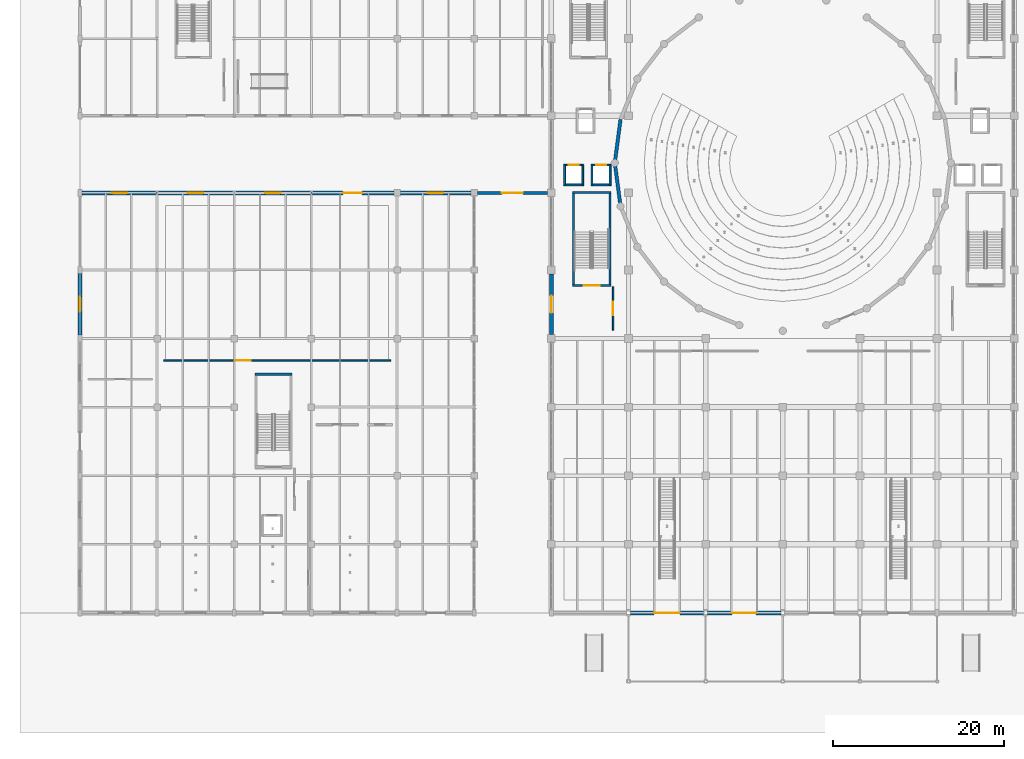
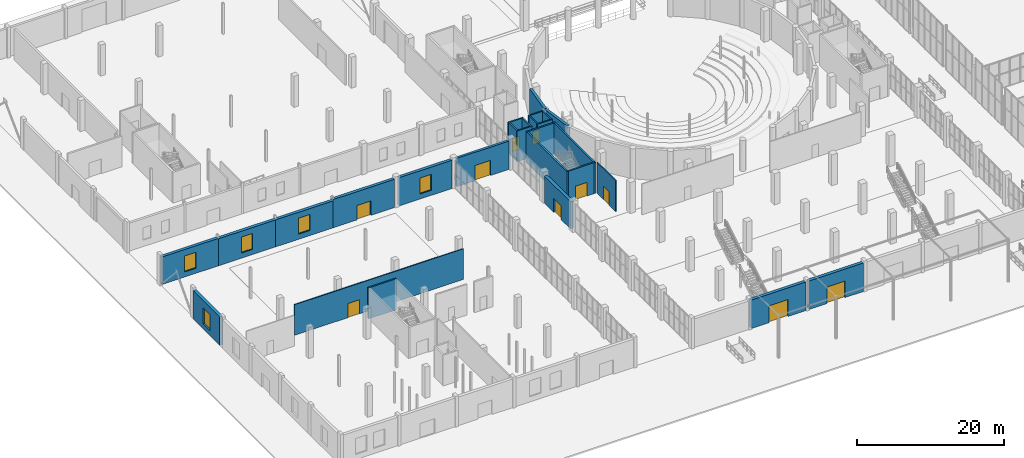
# One storey, part 82 of 103: 27 walls, 10 doors, 5 windows, 15 openings.
"""IFC4 building model written with IfcOpenShell, lengths in metres."""

from ifc_helpers import new_model, si_unit, direction, frame, frame_2d, origin, place, context, subcontext, project, spatial, rectangle, extrude, material, layer, layer_set, type_object, element, fill, save


model = new_model("IFC4")

# Units and contexts
model_context = context("Model", 3, precision=1e-05, world=origin(), true_north=direction((0.0, 1.0)))
body_context = subcontext(model_context, "Body", "Model", "MODEL_VIEW")
ifc_project = project(units=[si_unit("LENGTHUNIT", "METRE"), si_unit("AREAUNIT", "SQUARE_METRE"), si_unit("VOLUMEUNIT", "CUBIC_METRE"), si_unit("PLANEANGLEUNIT", "RADIAN"), si_unit("MASSUNIT", "GRAM", prefix="KILO")], contexts=[model_context])

# Site, building, storey
site_placement = place(None, origin())
site = spatial("IfcSite", under=ifc_project, at=site_placement, CompositionType="ELEMENT")
building_placement = place(site_placement, origin())
building = spatial("IfcBuilding", under=site, at=building_placement, Name="Marnock Terrace Opera House", CompositionType="ELEMENT")
storey_placement = place(building_placement, origin())
storey = spatial("IfcBuildingStorey", under=building, at=storey_placement, Name="L00", CompositionType="ELEMENT", Elevation=0.0)

# Wall, opening, door
ifc_material_1 = material(Name="Basket Range sandstone ashlar masonry", Category="masonry")
ifc_layer_1 = layer(ifc_material_1, 0.364990234375)
ifc_layer_set_1 = layer_set([ifc_layer_1], Name="Basket Range sandstone ashlar masonry")
wall_type_1 = type_object("IfcWallType", Name="EW-ASHLAR-365", PredefinedType="SOLIDWALL", material=ifc_layer_set_1)
wall_1_placement = place(storey_placement, frame((46.37109375, 57.0, 0.0), z_axis=(0.0, 0.0, 1.0), x_axis=(1.0, 0.0, 0.0)))
wall_1 = element("IfcWall", 1, at=wall_1_placement, inside=storey, type_object=wall_type_1, Name="Stage and courtyard portal wall CG-02", PredefinedType="SOLIDWALL", context=body_context, shape_type="SweptSolid", body=[
    extrude(rectangle(XDim=8.182861328125, YDim=0.364990234375, at=frame_2d((4.09130859375, 0.0))), origin(), (0.0, 0.0, 1.0), 4.699951171875),
])
opening_1_placement = place(wall_1_placement, frame((2.866455078125, 0.0, 0.0)))
opening_1 = element("IfcOpeningElement", 2, at=opening_1_placement, cuts=wall_1, Name="Opening CG-02", PredefinedType="OPENING", context=body_context, shape_type="SweptSolid", body=[
    extrude(rectangle(XDim=2.449951171875, YDim=2.5, at=frame_2d((1.22509765625, 1.25))), frame((0.0, 0.1923828125, 0.0), z_axis=(0.0, -1.0, 0.0), x_axis=(1.0, 0.0, 0.0)), (0.0, 0.0, 1.0), 0.385009765625),
])
ifc_material_2 = material(Name="Architectural cast bronze")
door_type_1 = type_object("IfcDoorType", Name="DT-COURTGATE-2450", OperationType="NOTDEFINED", PredefinedType="GATE", material=ifc_material_2)
door_1_placement = place(opening_1_placement, origin())
door_1 = element("IfcDoor", 3, at=door_1_placement, inside=storey, type_object=door_type_1, Name="Exterior door CG-02", OperationType="DOUBLE_DOOR_SINGLE_SWING", OverallHeight=2.5, OverallWidth=2.449951171875, PredefinedType="GATE", context=body_context, shape_type="SweptSolid", body=[
    extrude(rectangle(XDim=2.449951171875, YDim=2.5, at=frame_2d((1.22509765625, 1.25))), frame((0.0, 0.02490234375, 0.0), z_axis=(0.0, -1.0, 0.0), x_axis=(1.0, 0.0, 0.0)), (0.0, 0.0, 1.0), 0.050048828125),
])
fill(opening_1, door_1)

# Wall, opening, window
ifc_material_3 = material(Name="Carey Gully rusticated stone masonry", Category="masonry")
ifc_layer_2 = layer(ifc_material_3, 0.455078125)
ifc_layer_set_2 = layer_set([ifc_layer_2], Name="Carey Gully rusticated stone masonry")
wall_type_2 = type_object("IfcWallType", Name="EW-BASE-455", PredefinedType="SOLIDWALL", material=ifc_layer_set_2)
wall_2_placement = place(storey_placement, frame((0.0, 40.39599609375, 0.0), z_axis=(0.0, 0.0, 1.0), x_axis=(0.0, 1.0, 0.0)))
wall_2 = element("IfcWall", 4, at=wall_2_placement, inside=storey, type_object=wall_type_2, Name="L00 Volume 3 west sandstone wall 5", PredefinedType="SOLIDWALL", context=body_context, shape_type="SweptSolid", body=[
    extrude(rectangle(XDim=7.2080078125, YDim=0.455078125, at=frame_2d((3.60400390625, 0.0))), origin(), (0.0, 0.0, 1.0), 4.7314453125),
])
opening_2_placement = place(wall_2_placement, frame((2.7041015625, 0.0, 0.85009765625)))
opening_2 = element("IfcOpeningElement", 5, at=opening_2_placement, cuts=wall_2, Name="Opening WT-30", PredefinedType="OPENING", context=body_context, shape_type="SweptSolid", body=[
    extrude(rectangle(XDim=1.800048828125, YDim=2.64990234375, at=frame_2d((0.89990234375, 1.324951171875))), frame((0.0, 0.237548828125, 0.0), z_axis=(0.0, -1.0, 0.0), x_axis=(1.0, 0.0, 0.0)), (0.0, 0.0, 1.0), 0.47509765625),
])
ifc_material_4 = material(Name="Double-glazed acoustic low-E laminated glass", Category="glass")
window_type = type_object("IfcWindowType", Name="WT-PIER-1800", PartitioningType="DOUBLE_PANEL_VERTICAL", PredefinedType="WINDOW", material=ifc_material_4)
window_1_placement = place(opening_2_placement, origin())
window_1 = element("IfcWindow", 6, at=window_1_placement, inside=storey, type_object=window_type, Name="L00 facade window EW-V3W-L00-5.1", OverallHeight=2.64990234375, OverallWidth=1.800048828125, PartitioningType="SINGLE_PANEL", PredefinedType="WINDOW", context=body_context, shape_type="SweptSolid", body=[
    extrude(rectangle(XDim=1.800048828125, YDim=2.64990234375, at=frame_2d((0.89990234375, 1.324951171875))), frame((0.0, 0.030029296875, 0.0), z_axis=(0.0, -1.0, 0.0), x_axis=(1.0, 0.0, 0.0)), (0.0, 0.0, 1.0), 0.06005859375),
])
fill(opening_2, window_1)

wall_3_placement = place(storey_placement, frame((0.220947265625, 57.0, 0.0), z_axis=(0.0, 0.0, 1.0), x_axis=(1.0, 0.0, 0.0)))
wall_3 = element("IfcWall", 7, at=wall_3_placement, inside=storey, type_object=wall_type_2, Name="L00 Volume 3 north sandstone wall 1", PredefinedType="SOLIDWALL", context=body_context, shape_type="SweptSolid", body=[
    extrude(rectangle(XDim=8.779052734375, YDim=0.455078125, at=frame_2d((4.3896484375, 0.0))), origin(), (0.0, 0.0, 1.0), 4.556884765625),
])
opening_3_placement = place(wall_3_placement, frame((3.489501953125, 0.0, 0.85009765625)))
opening_3 = element("IfcOpeningElement", 8, at=opening_3_placement, cuts=wall_3, Name="Opening WT-30", PredefinedType="OPENING", context=body_context, shape_type="SweptSolid", body=[
    extrude(rectangle(XDim=1.800048828125, YDim=2.64990234375, at=frame_2d((0.89990234375, 1.324951171875))), frame((0.0, 0.237548828125, 0.0), z_axis=(0.0, -1.0, 0.0), x_axis=(1.0, 0.0, 0.0)), (0.0, 0.0, 1.0), 0.47509765625),
])
window_2_placement = place(opening_3_placement, origin())
window_2 = element("IfcWindow", 9, at=window_2_placement, inside=storey, type_object=window_type, Name="L00 facade window EW-V3N-L00-1.1", OverallHeight=2.64990234375, OverallWidth=1.800048828125, PartitioningType="SINGLE_PANEL", PredefinedType="WINDOW", context=body_context, shape_type="SweptSolid", body=[
    extrude(rectangle(XDim=1.800048828125, YDim=2.64990234375, at=frame_2d((0.89990234375, 1.324951171875))), frame((0.0, 0.030029296875, 0.0), z_axis=(0.0, -1.0, 0.0), x_axis=(1.0, 0.0, 0.0)), (0.0, 0.0, 1.0), 0.06005859375),
])
fill(opening_3, window_2)

wall_4_placement = place(storey_placement, frame((9.0, 57.0, 0.0), z_axis=(0.0, 0.0, 1.0), x_axis=(1.0, 0.0, 0.0)))
wall_4 = element("IfcWall", 10, at=wall_4_placement, inside=storey, type_object=wall_type_2, Name="L00 Volume 3 north sandstone wall 2", PredefinedType="SOLIDWALL", context=body_context, shape_type="SweptSolid", body=[
    extrude(rectangle(XDim=9.0, YDim=0.455078125, at=frame_2d((4.5, 0.0))), origin(), (0.0, 0.0, 1.0), 4.48291015625),
])
opening_4_placement = place(wall_4_placement, frame((3.60009765625, 0.0, 0.85009765625)))
opening_4 = element("IfcOpeningElement", 11, at=opening_4_placement, cuts=wall_4, Name="Opening WT-30", PredefinedType="OPENING", context=body_context, shape_type="SweptSolid", body=[
    extrude(rectangle(XDim=1.800048828125, YDim=2.64990234375, at=frame_2d((0.89990234375, 1.324951171875))), frame((0.0, 0.237548828125, 0.0), z_axis=(0.0, -1.0, 0.0), x_axis=(1.0, 0.0, 0.0)), (0.0, 0.0, 1.0), 0.47509765625),
])
window_3_placement = place(opening_4_placement, origin())
window_3 = element("IfcWindow", 12, at=window_3_placement, inside=storey, type_object=window_type, Name="L00 facade window EW-V3N-L00-2.1", OverallHeight=2.64990234375, OverallWidth=1.800048828125, PartitioningType="SINGLE_PANEL", PredefinedType="WINDOW", context=body_context, shape_type="SweptSolid", body=[
    extrude(rectangle(XDim=1.800048828125, YDim=2.64990234375, at=frame_2d((0.89990234375, 1.324951171875))), frame((0.0, 0.030029296875, 0.0), z_axis=(0.0, -1.0, 0.0), x_axis=(1.0, 0.0, 0.0)), (0.0, 0.0, 1.0), 0.06005859375),
])
fill(opening_4, window_3)

wall_5_placement = place(storey_placement, frame((18.0, 57.0, 0.0), z_axis=(0.0, 0.0, 1.0), x_axis=(1.0, 0.0, 0.0)))
wall_5 = element("IfcWall", 13, at=wall_5_placement, inside=storey, type_object=wall_type_2, Name="L00 Volume 3 north sandstone wall 3", PredefinedType="SOLIDWALL", context=body_context, shape_type="SweptSolid", body=[
    extrude(rectangle(XDim=9.0, YDim=0.455078125, at=frame_2d((4.5, 0.0))), origin(), (0.0, 0.0, 1.0), 4.478515625),
])
opening_5_placement = place(wall_5_placement, frame((3.60009765625, 0.0, 0.85009765625)))
opening_5 = element("IfcOpeningElement", 14, at=opening_5_placement, cuts=wall_5, Name="Opening WT-30", PredefinedType="OPENING", context=body_context, shape_type="SweptSolid", body=[
    extrude(rectangle(XDim=1.800048828125, YDim=2.64990234375, at=frame_2d((0.89990234375, 1.324951171875))), frame((0.0, 0.237548828125, 0.0), z_axis=(0.0, -1.0, 0.0), x_axis=(1.0, 0.0, 0.0)), (0.0, 0.0, 1.0), 0.47509765625),
])
window_4_placement = place(opening_5_placement, origin())
window_4 = element("IfcWindow", 15, at=window_4_placement, inside=storey, type_object=window_type, Name="L00 facade window EW-V3N-L00-3.1", OverallHeight=2.64990234375, OverallWidth=1.800048828125, PartitioningType="SINGLE_PANEL", PredefinedType="WINDOW", context=body_context, shape_type="SweptSolid", body=[
    extrude(rectangle(XDim=1.800048828125, YDim=2.64990234375, at=frame_2d((0.89990234375, 1.324951171875))), frame((0.0, 0.030029296875, 0.0), z_axis=(0.0, -1.0, 0.0), x_axis=(1.0, 0.0, 0.0)), (0.0, 0.0, 1.0), 0.06005859375),
])
fill(opening_5, window_4)

# Wall, opening, door
wall_6_placement = place(storey_placement, frame((27.0, 57.0, 0.0), z_axis=(0.0, 0.0, 1.0), x_axis=(1.0, 0.0, 0.0)))
wall_6 = element("IfcWall", 16, at=wall_6_placement, inside=storey, type_object=wall_type_2, Name="L00 Volume 3 north sandstone wall 4", PredefinedType="SOLIDWALL", context=body_context, shape_type="SweptSolid", body=[
    extrude(rectangle(XDim=9.62890625, YDim=0.455078125, at=frame_2d((4.814453125, 0.0))), origin(), (0.0, 0.0, 1.0), 4.6875),
])
opening_6_placement = place(wall_6_placement, frame((3.714599609375, 0.0, 0.0)))
opening_6 = element("IfcOpeningElement", 17, at=opening_6_placement, cuts=wall_6, Name="Opening ED-08", PredefinedType="OPENING", context=body_context, shape_type="SweptSolid", body=[
    extrude(rectangle(XDim=2.199951171875, YDim=2.39990234375, at=frame_2d((1.10009765625, 1.199951171875))), frame((0.0, 0.237548828125, 0.0), z_axis=(0.0, -1.0, 0.0), x_axis=(1.0, 0.0, 0.0)), (0.0, 0.0, 1.0), 0.47509765625),
])
ifc_material_5 = material(Name="Anodised architectural bronze aluminium framing", Category="aluminium")
door_type_2 = type_object("IfcDoorType", Name="DT-EXIT-2200", OperationType="NOTDEFINED", PredefinedType="DOOR", material=ifc_material_5)
door_2_placement = place(opening_6_placement, origin())
door_2 = element("IfcDoor", 18, at=door_2_placement, inside=storey, type_object=door_type_2, Name="Exterior door ED-08", OperationType="DOUBLE_DOOR_SINGLE_SWING", OverallHeight=2.39990234375, OverallWidth=2.199951171875, PredefinedType="DOOR", context=body_context, shape_type="SweptSolid", body=[
    extrude(rectangle(XDim=2.199951171875, YDim=2.39990234375, at=frame_2d((1.10009765625, 1.199951171875))), frame((0.0, 0.02490234375, 0.0), z_axis=(0.0, -1.0, 0.0), x_axis=(1.0, 0.0, 0.0)), (0.0, 0.0, 1.0), 0.050048828125),
])
fill(opening_6, door_2)

# Wall, opening, window
wall_7_placement = place(storey_placement, frame((37.37109375, 57.0, 0.0), z_axis=(0.0, 0.0, 1.0), x_axis=(1.0, 0.0, 0.0)))
wall_7 = element("IfcWall", 19, at=wall_7_placement, inside=storey, type_object=wall_type_2, Name="L00 Volume 3 north sandstone wall 5", PredefinedType="SOLIDWALL", context=body_context, shape_type="SweptSolid", body=[
    extrude(rectangle(XDim=8.2578125, YDim=0.455078125, at=frame_2d((4.12890625, 0.0))), origin(), (0.0, 0.0, 1.0), 4.6875),
])
opening_7_placement = place(wall_7_placement, frame((3.22900390625, 0.0, 0.85009765625)))
opening_7 = element("IfcOpeningElement", 20, at=opening_7_placement, cuts=wall_7, Name="Opening WT-30", PredefinedType="OPENING", context=body_context, shape_type="SweptSolid", body=[
    extrude(rectangle(XDim=1.800048828125, YDim=2.64990234375, at=frame_2d((0.89990234375, 1.324951171875))), frame((0.0, 0.237548828125, 0.0), z_axis=(0.0, -1.0, 0.0), x_axis=(1.0, 0.0, 0.0)), (0.0, 0.0, 1.0), 0.47509765625),
])
window_5_placement = place(opening_7_placement, origin())
window_5 = element("IfcWindow", 21, at=window_5_placement, inside=storey, type_object=window_type, Name="L00 facade window EW-V3N-L00-5.1", OverallHeight=2.64990234375, OverallWidth=1.800048828125, PartitioningType="SINGLE_PANEL", PredefinedType="WINDOW", context=body_context, shape_type="SweptSolid", body=[
    extrude(rectangle(XDim=1.800048828125, YDim=2.64990234375, at=frame_2d((0.89990234375, 1.324951171875))), frame((0.0, 0.030029296875, 0.0), z_axis=(0.0, -1.0, 0.0), x_axis=(1.0, 0.0, 0.0)), (0.0, 0.0, 1.0), 0.06005859375),
])
fill(opening_7, window_5)

# Wall, opening, door
ifc_layer_3 = layer(ifc_material_3, 0.47998046875)
ifc_layer_set_3 = layer_set([ifc_layer_3], Name="Carey Gully rusticated stone masonry")
wall_type_3 = type_object("IfcWallType", Name="EW-BASE-480", PredefinedType="SOLIDWALL", material=ifc_layer_set_3)
wall_8_placement = place(storey_placement, frame((72.779052734375, 8.0, 0.0), z_axis=(0.0, 0.0, 1.0), x_axis=(-1.0, 0.0, 0.0)))
wall_8 = element("IfcWall", 22, at=wall_8_placement, inside=storey, type_object=wall_type_3, Name="L00 Grand Hall south sandstone arcade bay 2", PredefinedType="SOLIDWALL", context=body_context, shape_type="SweptSolid", body=[
    extrude(rectangle(XDim=8.55810546875, YDim=0.47998046875, at=frame_2d((4.279052734375, 0.0))), origin(), (0.0, 0.0, 1.0), 4.7314453125),
])
opening_8_placement = place(wall_8_placement, frame((2.779052734375, 0.0, 0.0)))
opening_8 = element("IfcOpeningElement", 23, at=opening_8_placement, cuts=wall_8, Name="Opening ED-01", PredefinedType="OPENING", context=body_context, shape_type="SweptSolid", body=[
    extrude(rectangle(XDim=3.0, YDim=2.800048828125, at=frame_2d((1.5, 1.39990234375))), frame((0.0, 0.25, 0.0), z_axis=(0.0, -1.0, 0.0), x_axis=(1.0, 0.0, 0.0)), (0.0, 0.0, 1.0), 0.5),
])
door_type_3 = type_object("IfcDoorType", Name="DT-PORTAL-3000", OperationType="NOTDEFINED", PredefinedType="DOOR", material=ifc_material_2)
door_3_placement = place(opening_8_placement, origin())
door_3 = element("IfcDoor", 24, at=door_3_placement, inside=storey, type_object=door_type_3, Name="Exterior door ED-01", OperationType="DOUBLE_DOOR_SINGLE_SWING", OverallHeight=2.800048828125, OverallWidth=3.0, PredefinedType="DOOR", context=body_context, shape_type="SweptSolid", body=[
    extrude(rectangle(XDim=3.0, YDim=2.800048828125, at=frame_2d((1.5, 1.39990234375))), frame((0.0, 0.02490234375, 0.0), z_axis=(0.0, -1.0, 0.0), x_axis=(1.0, 0.0, 0.0)), (0.0, 0.0, 1.0), 0.050048828125),
])
fill(opening_8, door_3)

wall_9_placement = place(storey_placement, frame((81.779052734375, 8.0, 0.0), z_axis=(0.0, 0.0, 1.0), x_axis=(-1.0, 0.0, 0.0)))
wall_9 = element("IfcWall", 25, at=wall_9_placement, inside=storey, type_object=wall_type_3, Name="L00 Grand Hall south sandstone arcade bay 3", PredefinedType="SOLIDWALL", context=body_context, shape_type="SweptSolid", body=[
    extrude(rectangle(XDim=8.55810546875, YDim=0.47998046875, at=frame_2d((4.279052734375, 0.0))), origin(), (0.0, 0.0, 1.0), 4.7314453125),
])
opening_9_placement = place(wall_9_placement, frame((2.87890625, 0.0, 0.0)))
opening_9 = element("IfcOpeningElement", 26, at=opening_9_placement, cuts=wall_9, Name="Opening ED-02", PredefinedType="OPENING", context=body_context, shape_type="SweptSolid", body=[
    extrude(rectangle(XDim=2.800048828125, YDim=2.75, at=frame_2d((1.39990234375, 1.375))), frame((0.0, 0.25, 0.0), z_axis=(0.0, -1.0, 0.0), x_axis=(1.0, 0.0, 0.0)), (0.0, 0.0, 1.0), 0.5),
])
door_type_4 = type_object("IfcDoorType", Name="DT-PORTAL-2800", OperationType="NOTDEFINED", PredefinedType="DOOR", material=ifc_material_2)
door_4_placement = place(opening_9_placement, origin())
door_4 = element("IfcDoor", 27, at=door_4_placement, inside=storey, type_object=door_type_4, Name="Exterior door ED-02", OperationType="DOUBLE_DOOR_SINGLE_SWING", OverallHeight=2.75, OverallWidth=2.800048828125, PredefinedType="DOOR", context=body_context, shape_type="SweptSolid", body=[
    extrude(rectangle(XDim=2.800048828125, YDim=2.75, at=frame_2d((1.39990234375, 1.375))), frame((0.0, 0.02490234375, 0.0), z_axis=(0.0, -1.0, 0.0), x_axis=(1.0, 0.0, 0.0)), (0.0, 0.0, 1.0), 0.050048828125),
])
fill(opening_9, door_4)

wall_10_placement = place(storey_placement, frame((55.0, 40.446044921875, 0.0), z_axis=(0.0, 0.0, 1.0), x_axis=(0.0, 1.0, 0.0)))
wall_10 = element("IfcWall", 28, at=wall_10_placement, inside=storey, type_object=wall_type_3, Name="L00 Core C1 protected exit portal wall to West Cloister Court", PredefinedType="SOLIDWALL", context=body_context, shape_type="SweptSolid", body=[
    extrude(rectangle(XDim=7.10791015625, YDim=0.47998046875, at=frame_2d((3.553955078125, 0.0))), origin(), (0.0, 0.0, 1.0), 4.47998046875),
])
opening_10_placement = place(wall_10_placement, frame((2.553955078125, 0.0, 0.0)))
opening_10 = element("IfcOpeningElement", 29, at=opening_10_placement, cuts=wall_10, Name="Opening ED-23", PredefinedType="OPENING", context=body_context, shape_type="SweptSolid", body=[
    extrude(rectangle(XDim=2.0, YDim=2.300048828125, at=frame_2d((1.0, 1.14990234375))), frame((0.0, 0.25, 0.0), z_axis=(0.0, -1.0, 0.0), x_axis=(1.0, 0.0, 0.0)), (0.0, 0.0, 1.0), 0.5),
])
door_type_5 = type_object("IfcDoorType", Name="DT-EXIT-2000", OperationType="NOTDEFINED", PredefinedType="DOOR", material=ifc_material_5)
door_5_placement = place(opening_10_placement, origin())
door_5 = element("IfcDoor", 30, at=door_5_placement, inside=storey, type_object=door_type_5, Name="Exterior door ED-23", OperationType="DOUBLE_DOOR_SINGLE_SWING", OverallHeight=2.300048828125, OverallWidth=2.0, PredefinedType="DOOR", context=body_context, shape_type="SweptSolid", body=[
    extrude(rectangle(XDim=2.0, YDim=2.300048828125, at=frame_2d((1.0, 1.14990234375))), frame((0.0, 0.02490234375, 0.0), z_axis=(0.0, -1.0, 0.0), x_axis=(1.0, 0.0, 0.0)), (0.0, 0.0, 1.0), 0.050048828125),
])
fill(opening_10, door_5)

ifc_material_6 = material(Name="Rendered acoustic concrete blockwork", Category="masonry")
ifc_layer_4 = layer(ifc_material_6, 0.175048828125)
ifc_layer_set_4 = layer_set([ifc_layer_4], Name="Rendered acoustic concrete blockwork")
wall_type_4 = type_object("IfcWallType", Name="IW-FIRE-175", PredefinedType="PARTITIONING", material=ifc_layer_set_4)
wall_11_placement = place(storey_placement, frame((62.199951171875, 40.949951171875, 0.0), z_axis=(0.0, 0.0, 1.0), x_axis=(0.0, 1.0, 0.0)))
wall_11 = element("IfcWall", 31, at=wall_11_placement, inside=storey, type_object=wall_type_4, Name="L00 C1 fire-rated lift and stair lobby wall", PredefinedType="PARTITIONING", context=body_context, shape_type="SweptSolid", body=[
    extrude(rectangle(XDim=5.10009765625, YDim=0.175048828125, at=frame_2d((2.550048828125, 0.0))), origin(), (0.0, 0.0, 1.0), 5.070068359375),
])
opening_11_placement = place(wall_11_placement, frame((1.77490234375, 0.0, 0.0)))
opening_11 = element("IfcOpeningElement", 32, at=opening_11_placement, cuts=wall_11, Name="Opening FD-C1-L00", PredefinedType="OPENING", context=body_context, shape_type="SweptSolid", body=[
    extrude(rectangle(XDim=1.550048828125, YDim=2.219970703125, at=frame_2d((0.77490234375, 1.10986328125))), frame((0.0, 0.097412109375, 0.0), z_axis=(0.0, -1.0, 0.0), x_axis=(1.0, 0.0, 0.0)), (0.0, 0.0, 1.0), 0.195068359375),
])
ifc_material_7 = material(Name="Fire-rated acoustic timber-core door assembly", Category="wood")
door_type_6 = type_object("IfcDoorType", Name="DT-LOBBY-1550", OperationType="NOTDEFINED", PredefinedType="DOOR", material=ifc_material_7)
door_6_placement = place(opening_11_placement, origin())
door_6 = element("IfcDoor", 33, at=door_6_placement, inside=storey, type_object=door_type_6, Name="L00 C1 lobby self-closing smoke door", OperationType="SINGLE_SWING_RIGHT", OverallHeight=2.219970703125, OverallWidth=1.550048828125, PredefinedType="DOOR", context=body_context, shape_type="SweptSolid", body=[
    extrude(rectangle(XDim=1.550048828125, YDim=2.219970703125, at=frame_2d((0.77490234375, 1.10986328125))), frame((0.0, 0.02490234375, 0.0), z_axis=(0.0, -1.0, 0.0), x_axis=(1.0, 0.0, 0.0)), (0.0, 0.0, 1.0), 0.050048828125),
])
fill(opening_11, door_6)

ifc_material_8 = material(Name="Double-stud acoustic plasterboard with mineral-wool infill")
ifc_layer_5 = layer(ifc_material_8, 0.159912109375)
ifc_layer_set_5 = layer_set([ifc_layer_5], Name="Double-stud acoustic plasterboard with mineral-wool infill")
wall_type_5 = type_object("IfcWallType", Name="IW-PART-160", PredefinedType="PARTITIONING", material=ifc_layer_set_5)
wall_12_placement = place(storey_placement, frame((9.75, 37.449951171875, 0.0), z_axis=(0.0, 0.0, 1.0), x_axis=(1.0, 0.0, 0.0)))
wall_12 = element("IfcWall", 34, at=wall_12_placement, inside=storey, type_object=wall_type_5, Name="L00 Rehearsal Stage acoustic partition wall", PredefinedType="PARTITIONING", context=body_context, shape_type="SweptSolid", body=[
    extrude(rectangle(XDim=26.5, YDim=0.159912109375, at=frame_2d((13.25, 0.0))), origin(), (0.0, 0.0, 1.0), 5.070068359375),
])
opening_12_placement = place(wall_12_placement, frame((8.364990234375, 0.0, 0.0)))
opening_12 = element("IfcOpeningElement", 35, at=opening_12_placement, cuts=wall_12, Name="Opening D-L00-16", PredefinedType="OPENING", context=body_context, shape_type="SweptSolid", body=[
    extrude(rectangle(XDim=1.820068359375, YDim=2.35009765625, at=frame_2d((0.91015625, 1.175048828125))), frame((0.0, 0.08984375, 0.0), z_axis=(0.0, -1.0, 0.0), x_axis=(1.0, 0.0, 0.0)), (0.0, 0.0, 1.0), 0.179931640625),
])
ifc_material_9 = material(Name="Solid-core Tasmanian oak acoustic door leaf")
door_type_7 = type_object("IfcDoorType", Name="DT-REHEARS-1820", OperationType="NOTDEFINED", PredefinedType="DOOR", material=ifc_material_9)
door_7_placement = place(opening_12_placement, origin())
door_7 = element("IfcDoor", 36, at=door_7_placement, inside=storey, type_object=door_type_7, Name="L00 Rehearsal Stage entrance door", OperationType="DOUBLE_DOOR_SINGLE_SWING", OverallHeight=2.35009765625, OverallWidth=1.820068359375, PredefinedType="DOOR", context=body_context, shape_type="SweptSolid", body=[
    extrude(rectangle(XDim=1.820068359375, YDim=2.35009765625, at=frame_2d((0.91015625, 1.175048828125))), frame((0.0, 0.02490234375, 0.0), z_axis=(0.0, -1.0, 0.0), x_axis=(1.0, 0.0, 0.0)), (0.0, 0.0, 1.0), 0.050048828125),
])
fill(opening_12, door_7)

ifc_layer_6 = layer(ifc_material_6, 0.22509765625)
ifc_layer_set_6 = layer_set([ifc_layer_6], Name="Rendered acoustic concrete blockwork")
wall_type_6 = type_object("IfcWallType", Name="IW-SHAFT-225", PredefinedType="SOLIDWALL", material=ifc_layer_set_6)
wall_13_placement = place(storey_placement, frame((56.427490234375, 60.260009765625, 0.0), z_axis=(0.0, 0.0, 1.0), x_axis=(1.0, 0.0, 0.0)))
wall_13 = element("IfcWall", 37, at=wall_13_placement, inside=storey, type_object=wall_type_6, Name="L00 Lift PL-01 front shaft wall", PredefinedType="SOLIDWALL", context=body_context, shape_type="SweptSolid", body=[
    extrude(rectangle(XDim=2.344970703125, YDim=0.22509765625, at=frame_2d((1.17236328125, 0.0))), origin(), (0.0, 0.0, 1.0), 5.070068359375),
])
opening_13_placement = place(wall_13_placement, frame((0.597412109375, 0.0, 0.0)))
opening_13 = element("IfcOpeningElement", 38, at=opening_13_placement, cuts=wall_13, Name="Opening LD-PL-01-L00", PredefinedType="OPENING", context=body_context, shape_type="SweptSolid", body=[
    extrude(rectangle(XDim=1.14990234375, YDim=2.199951171875, at=frame_2d((0.574951171875, 1.10009765625))), frame((0.0, 0.12255859375, 0.0), z_axis=(0.0, -1.0, 0.0), x_axis=(1.0, 0.0, 0.0)), (0.0, 0.0, 1.0), 0.2451171875),
])
ifc_material_10 = material(Name="Brushed stainless steel landing door assembly", Category="steel")
door_type_8 = type_object("IfcDoorType", Name="DT-LIFT-1150", OperationType="NOTDEFINED", PredefinedType="DOOR", material=ifc_material_10)
door_8_placement = place(opening_13_placement, origin())
door_8 = element("IfcDoor", 39, at=door_8_placement, inside=storey, type_object=door_type_8, Name="L00 Lift PL-01 sliding landing door", OperationType="DOUBLE_DOOR_SLIDING", OverallHeight=2.199951171875, OverallWidth=1.14990234375, PredefinedType="DOOR", context=body_context, shape_type="SweptSolid", body=[
    extrude(rectangle(XDim=1.14990234375, YDim=2.199951171875, at=frame_2d((0.574951171875, 1.10009765625))), frame((0.0, 0.02490234375, 0.0), z_axis=(0.0, -1.0, 0.0), x_axis=(1.0, 0.0, 0.0)), (0.0, 0.0, 1.0), 0.050048828125),
])
fill(opening_13, door_8)

# Walls
wall_14_placement = place(storey_placement, frame((56.427490234375, 57.93994140625, 0.0), z_axis=(0.0, 0.0, 1.0), x_axis=(1.0, 0.0, 0.0)))
element("IfcWall", 40, at=wall_14_placement, inside=storey, type_object=wall_type_6, Name="L00 Lift PL-01 rear shaft wall", PredefinedType="SOLIDWALL", context=body_context, shape_type="SweptSolid", body=[
    extrude(rectangle(XDim=2.344970703125, YDim=0.22509765625, at=frame_2d((1.17236328125, 0.0))), origin(), (0.0, 0.0, 1.0), 5.070068359375),
])
for number, where, z_axis, x_axis, name in (
    (41, (56.5400390625, 57.93994140625, 0.0), (0.0, 0.0, 1.0), (0.0, 1.0, 0.0), "L00 Lift PL-01 west shaft wall"),
    (42, (58.659912109375, 57.93994140625, 0.0), (0.0, 0.0, 1.0), (0.0, 1.0, 0.0), "L00 Lift PL-01 east shaft wall"),
):
    element("IfcWall", number, at=place(storey_placement, frame(where, z_axis=z_axis, x_axis=x_axis)), inside=storey, type_object=wall_type_6, Name=name, PredefinedType="SOLIDWALL", context=body_context, shape_type="SweptSolid", body=[
        extrude(rectangle(XDim=2.320068359375, YDim=0.22509765625, at=frame_2d((1.16015625, 0.0))), origin(), (0.0, 0.0, 1.0), 5.070068359375),
    ])

# Wall, opening, door
wall_15_placement = place(storey_placement, frame((59.62744140625, 60.260009765625, 0.0), z_axis=(0.0, 0.0, 1.0), x_axis=(1.0, 0.0, 0.0)))
wall_15 = element("IfcWall", 43, at=wall_15_placement, inside=storey, type_object=wall_type_6, Name="L00 Lift PL-02 front shaft wall", PredefinedType="SOLIDWALL", context=body_context, shape_type="SweptSolid", body=[
    extrude(rectangle(XDim=2.344970703125, YDim=0.22509765625, at=frame_2d((1.17236328125, 0.0))), origin(), (0.0, 0.0, 1.0), 5.070068359375),
])
opening_14_placement = place(wall_15_placement, frame((0.597412109375, 0.0, 0.0)))
opening_14 = element("IfcOpeningElement", 44, at=opening_14_placement, cuts=wall_15, Name="Opening LD-PL-02-L00", PredefinedType="OPENING", context=body_context, shape_type="SweptSolid", body=[
    extrude(rectangle(XDim=1.14990234375, YDim=2.199951171875, at=frame_2d((0.574951171875, 1.10009765625))), frame((0.0, 0.12255859375, 0.0), z_axis=(0.0, -1.0, 0.0), x_axis=(1.0, 0.0, 0.0)), (0.0, 0.0, 1.0), 0.2451171875),
])
door_9_placement = place(opening_14_placement, origin())
door_9 = element("IfcDoor", 45, at=door_9_placement, inside=storey, type_object=door_type_8, Name="L00 Lift PL-02 sliding landing door", OperationType="DOUBLE_DOOR_SLIDING", OverallHeight=2.199951171875, OverallWidth=1.14990234375, PredefinedType="DOOR", context=body_context, shape_type="SweptSolid", body=[
    extrude(rectangle(XDim=1.14990234375, YDim=2.199951171875, at=frame_2d((0.574951171875, 1.10009765625))), frame((0.0, 0.02490234375, 0.0), z_axis=(0.0, -1.0, 0.0), x_axis=(1.0, 0.0, 0.0)), (0.0, 0.0, 1.0), 0.050048828125),
])
fill(opening_14, door_9)

# Walls
wall_16_placement = place(storey_placement, frame((59.62744140625, 57.93994140625, 0.0), z_axis=(0.0, 0.0, 1.0), x_axis=(1.0, 0.0, 0.0)))
element("IfcWall", 46, at=wall_16_placement, inside=storey, type_object=wall_type_6, Name="L00 Lift PL-02 rear shaft wall", PredefinedType="SOLIDWALL", context=body_context, shape_type="SweptSolid", body=[
    extrude(rectangle(XDim=2.344970703125, YDim=0.22509765625, at=frame_2d((1.17236328125, 0.0))), origin(), (0.0, 0.0, 1.0), 5.070068359375),
])
for number, where, z_axis, x_axis, name in (
    (47, (59.739990234375, 57.93994140625, 0.0), (0.0, 0.0, 1.0), (0.0, 1.0, 0.0), "L00 Lift PL-02 west shaft wall"),
    (48, (61.860107421875, 57.93994140625, 0.0), (0.0, 0.0, 1.0), (0.0, 1.0, 0.0), "L00 Lift PL-02 east shaft wall"),
):
    element("IfcWall", number, at=place(storey_placement, frame(where, z_axis=z_axis, x_axis=x_axis)), inside=storey, type_object=wall_type_6, Name=name, PredefinedType="SOLIDWALL", context=body_context, shape_type="SweptSolid", body=[
        extrude(rectangle(XDim=2.320068359375, YDim=0.22509765625, at=frame_2d((1.16015625, 0.0))), origin(), (0.0, 0.0, 1.0), 5.070068359375),
    ])

# Wall, opening, door
ifc_material_11 = material(Name="Concrete N40 (f'c = 40 MPa)", Category="concrete")
ifc_layer_7 = layer(ifc_material_11, 0.25)
ifc_layer_set_7 = layer_set([ifc_layer_7], Name="Concrete N40 (f'c = 40 MPa)")
wall_type_7 = type_object("IfcWallType", Name="SW-CORE-250", PredefinedType="SHEAR", material=ifc_layer_set_7)
wall_17_placement = place(storey_placement, frame((57.43505859375, 46.199951171875, 0.0), z_axis=(0.0, 0.0, 1.0), x_axis=(1.0, 0.0, 0.0)))
wall_17 = element("IfcWall", 49, at=wall_17_placement, inside=storey, type_object=wall_type_7, Name="L00 Core C1 FRL 120/120/120 shear wall S", PredefinedType="SHEAR", context=body_context, shape_type="SweptSolid", body=[
    extrude(rectangle(XDim=4.530029296875, YDim=0.25, at=frame_2d((2.26513671875, 0.0))), origin(), (0.0, 0.0, 1.0), 5.1201171875),
])
opening_15_placement = place(wall_17_placement, frame((1.340087890625, 0.0, 0.0)))
opening_15 = element("IfcOpeningElement", 50, at=opening_15_placement, cuts=wall_17, Name="Opening SD-C1-L00", PredefinedType="OPENING", context=body_context, shape_type="SweptSolid", body=[
    extrude(rectangle(XDim=1.85009765625, YDim=2.25, at=frame_2d((0.925048828125, 1.125))), frame((0.0, 0.135009765625, 0.0), z_axis=(0.0, -1.0, 0.0), x_axis=(1.0, 0.0, 0.0)), (0.0, 0.0, 1.0), 0.27001953125),
])
door_type_9 = type_object("IfcDoorType", Name="DT-STAIR-1850", OperationType="NOTDEFINED", PredefinedType="DOOR", material=ifc_material_7)
door_10_placement = place(opening_15_placement, origin())
door_10 = element("IfcDoor", 51, at=door_10_placement, inside=storey, type_object=door_type_9, Name="L00 Stair ST-01 fire-isolated exit door", OperationType="SINGLE_SWING_LEFT", OverallHeight=2.25, OverallWidth=1.85009765625, PredefinedType="DOOR", context=body_context, shape_type="SweptSolid", body=[
    extrude(rectangle(XDim=1.85009765625, YDim=2.25, at=frame_2d((0.925048828125, 1.125))), frame((0.0, 0.02490234375, 0.0), z_axis=(0.0, -1.0, 0.0), x_axis=(1.0, 0.0, 0.0)), (0.0, 0.0, 1.0), 0.050048828125),
])
fill(opening_15, door_10)

# Walls
wall_18_placement = place(storey_placement, frame((57.43505859375, 57.0400390625, 0.0), z_axis=(0.0, 0.0, 1.0), x_axis=(1.0, 0.0, 0.0)))
element("IfcWall", 52, at=wall_18_placement, inside=storey, type_object=wall_type_7, Name="L00 Core C1 FRL 120/120/120 shear wall N", PredefinedType="SHEAR", context=body_context, shape_type="SweptSolid", body=[
    extrude(rectangle(XDim=4.530029296875, YDim=0.25, at=frame_2d((2.26513671875, 0.0))), origin(), (0.0, 0.0, 1.0), 5.1201171875),
])
for number, where, z_axis, x_axis, name in (
    (53, (57.56005859375, 46.074951171875, 0.0), (0.0, 0.0, 1.0), (0.0, 1.0, 0.0), "L00 Core C1 FRL 120/120/120 shear wall W"),
    (54, (61.840087890625, 46.074951171875, 0.0), (0.0, 0.0, 1.0), (0.0, 1.0, 0.0), "L00 Core C1 FRL 120/120/120 shear wall E"),
):
    element("IfcWall", number, at=place(storey_placement, frame(where, z_axis=z_axis, x_axis=x_axis)), inside=storey, type_object=wall_type_7, Name=name, PredefinedType="SHEAR", context=body_context, shape_type="SweptSolid", body=[
        extrude(rectangle(XDim=11.090087890625, YDim=0.25, at=frame_2d((5.544921875, 0.0))), origin(), (0.0, 0.0, 1.0), 5.1201171875),
    ])
wall_19_placement = place(storey_placement, frame((20.39501953125, 35.840087890625, 0.0), z_axis=(0.0, 0.0, 1.0), x_axis=(1.0, 0.0, 0.0)))
element("IfcWall", 55, at=wall_19_placement, inside=storey, type_object=wall_type_7, Name="L00 Core C5 FRL 120/120/120 shear wall N", PredefinedType="SHEAR", context=body_context, shape_type="SweptSolid", body=[
    extrude(rectangle(XDim=4.369873046875, YDim=0.25, at=frame_2d((2.18505859375, 0.0))), origin(), (0.0, 0.0, 1.0), 5.1201171875),
])
ifc_material_12 = material(Name="Concrete N50 (f'c = 50 MPa)", Category="concrete")
ifc_layer_8 = layer(ifc_material_12, 0.39990234375)
ifc_layer_set_8 = layer_set([ifc_layer_8], Name="Concrete N50 (f'c = 50 MPa)")
wall_type_8 = type_object("IfcWallType", Name="SW-DRUM-400", PredefinedType="SHEAR", material=ifc_layer_set_8)
for number, where, z_axis, x_axis, name in (
    (56, (63.068115234375, 65.572998046875, 0.0), (0.0, 0.0, 1.0), (-0.130591512704, -0.99143625958, 0.0), "L00 cylindrical auditorium drum shear wall 12"),
    (57, (62.39990234375, 60.5, 0.0), (0.0, 0.0, 1.0), (0.130591512704, -0.99143625958, 0.0), "L00 cylindrical auditorium drum shear wall 13"),
):
    element("IfcWall", number, at=place(storey_placement, frame(where, z_axis=z_axis, x_axis=x_axis)), inside=storey, type_object=wall_type_8, Name=name, PredefinedType="SHEAR", context=body_context, shape_type="SweptSolid", body=[
        extrude(rectangle(XDim=5.11669921875, YDim=0.39990234375, at=frame_2d((2.558349609375, 0.0))), origin(), (0.0, 0.0, 1.0), 5.1201171875),
    ])

save(model, "model.ifc")
